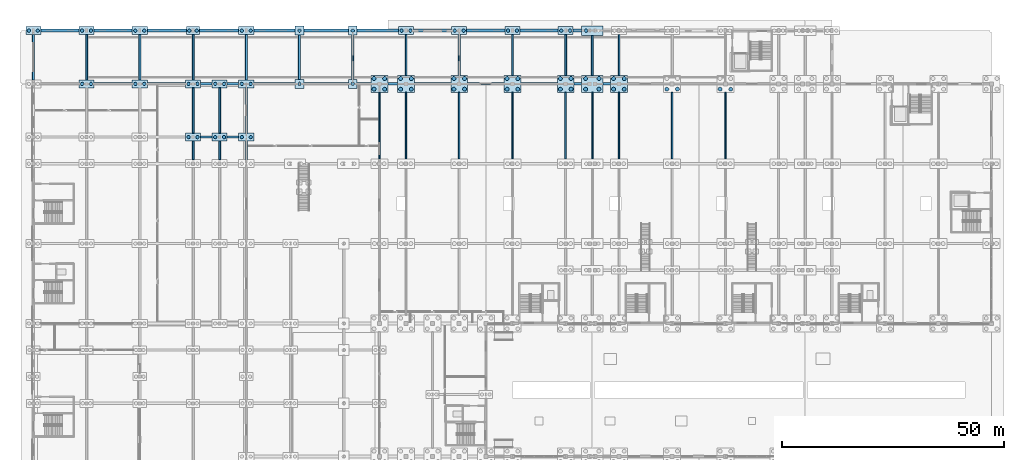
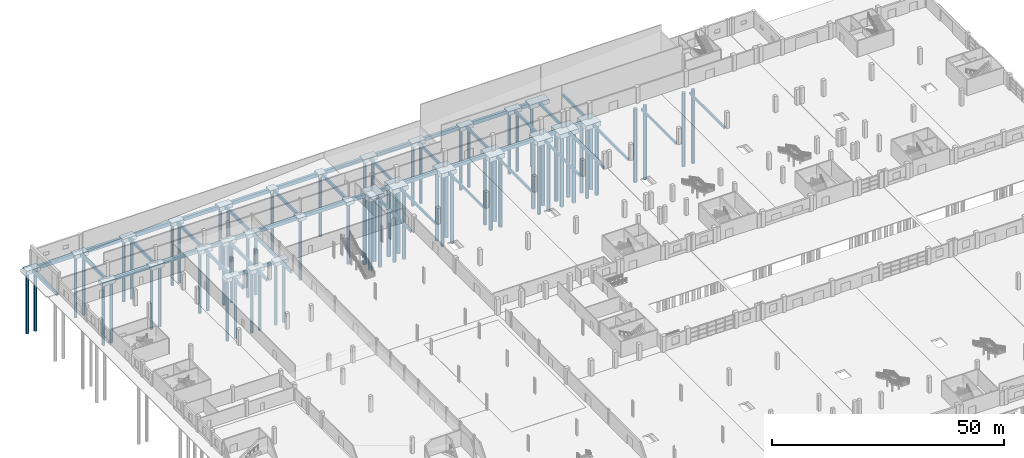
# One storey, part 8 of 77: 83 footings, 71 piles.
"""IFC4 building model written with IfcOpenShell, lengths in metres."""

from ifc_helpers import new_model, si_unit, direction, frame, origin, origin_2d, place, context, subcontext, project, spatial, rectangle, circle, extrude, material, material_profile, profile_set, type_object, element, save


model = new_model("IFC4")

# Units and contexts
model_context = context("Model", 3, precision=1e-05, world=origin(), true_north=direction((0.0, 1.0)))
body_context = subcontext(model_context, "Body", "Model", "MODEL_VIEW")
ifc_project = project(units=[si_unit("LENGTHUNIT", "METRE"), si_unit("AREAUNIT", "SQUARE_METRE"), si_unit("VOLUMEUNIT", "CUBIC_METRE"), si_unit("PLANEANGLEUNIT", "RADIAN"), si_unit("MASSUNIT", "GRAM", prefix="KILO")], contexts=[model_context])

# Site, building, storey
site_placement = place(None, origin())
site = spatial("IfcSite", under=ifc_project, at=site_placement, CompositionType="ELEMENT")
building_placement = place(site_placement, origin())
building = spatial("IfcBuilding", under=site, at=building_placement, Name="Zilviju Railside Exhibition Hall", CompositionType="ELEMENT")
storey_placement = place(building_placement, origin())
storey = spatial("IfcBuildingStorey", under=building, at=storey_placement, Name="L01", CompositionType="ELEMENT", Elevation=0.0)

# Footings
ifc_material_1 = material(Name="Concrete C35/45", Category="concrete")
footing_type_1 = type_object("IfcFootingType", Name="CAP-PC-01", PredefinedType="PILE_CAP", material=ifc_material_1)
for number, where, z_axis, x_axis, name in (
    (1, (78.0, 138.0, -1.60009765625), (0.0, 0.0, 1.0), (1.0, 0.0, 0.0), "Pile Cap FND-CAP-201"),
    (2, (84.0, 138.0, -1.60009765625), (0.0, 0.0, 1.0), (1.0, 0.0, 0.0), "Pile Cap FND-CAP-202"),
    (3, (96.0, 138.0, -1.60009765625), (0.0, 0.0, 1.0), (1.0, 0.0, 0.0), "Pile Cap FND-CAP-203"),
    (4, (108.0, 138.0, -1.60009765625), (0.0, 0.0, 1.0), (1.0, 0.0, 0.0), "Pile Cap FND-CAP-204"),
    (5, (120.0, 138.0, -1.60009765625), (0.0, 0.0, 1.0), (1.0, 0.0, 0.0), "Pile Cap FND-CAP-205"),
    (6, (132.0, 138.0, -1.60009765625), (0.0, 0.0, 1.0), (1.0, 0.0, 0.0), "Pile Cap FND-CAP-207"),
):
    element("IfcFooting", number, at=place(storey_placement, frame(where, z_axis=z_axis, x_axis=x_axis)), inside=storey, type_object=footing_type_1, Name=name, PredefinedType="PILE_CAP", context=body_context, shape_type="SweptSolid", body=[
        extrude(rectangle(XDim=3.800048828125, YDim=3.800048828125, at=origin_2d()), origin(), (0.0, 0.0, 1.0), 1.199951171875),
    ])
footing_type_2 = type_object("IfcFootingType", Name="CAP-PC-03", PredefinedType="PILE_CAP", material=ifc_material_1)
for number, where, z_axis, x_axis, name in (
    (7, (36.0, 126.0, -1.4501953125), (0.0, 0.0, 1.0), (1.0, 0.0, 0.0), "Pile Cap FND-CAP-190"),
    (8, (42.0, 126.0, -1.4501953125), (0.0, 0.0, 1.0), (1.0, 0.0, 0.0), "Pile Cap FND-CAP-191"),
    (9, (48.0, 126.0, -1.4501953125), (0.0, 0.0, 1.0), (1.0, 0.0, 0.0), "Pile Cap FND-CAP-192"),
    (10, (12.0, 138.0, -1.4501953125), (0.0, 0.0, 1.0), (1.0, 0.0, 0.0), "Pile Cap FND-CAP-194"),
    (11, (24.0, 138.0, -1.4501953125), (0.0, 0.0, 1.0), (1.0, 0.0, 0.0), "Pile Cap FND-CAP-195"),
    (12, (36.0, 138.0, -1.4501953125), (0.0, 0.0, 1.0), (1.0, 0.0, 0.0), "Pile Cap FND-CAP-196"),
    (13, (42.0, 138.0, -1.4501953125), (0.0, 0.0, 1.0), (1.0, 0.0, 0.0), "Pile Cap FND-CAP-197"),
    (14, (48.0, 138.0, -1.4501953125), (0.0, 0.0, 1.0), (1.0, 0.0, 0.0), "Pile Cap FND-CAP-198"),
    (15, (0.0, 150.0, -1.4501953125), (0.0, 0.0, 1.0), (1.0, 0.0, 0.0), "Pile Cap FND-CAP-216"),
    (16, (12.0, 150.0, -1.4501953125), (0.0, 0.0, 1.0), (1.0, 0.0, 0.0), "Pile Cap FND-CAP-217"),
    (17, (24.0, 150.0, -1.4501953125), (0.0, 0.0, 1.0), (1.0, 0.0, 0.0), "Pile Cap FND-CAP-218"),
    (18, (48.0, 150.0, -1.4501953125), (0.0, 0.0, 1.0), (1.0, 0.0, 0.0), "Pile Cap FND-CAP-220"),
    (19, (84.0, 150.0, -1.4501953125), (0.0, 0.0, 1.0), (1.0, 0.0, 0.0), "Pile Cap FND-CAP-223"),
    (20, (96.0, 150.0, -1.4501953125), (0.0, 0.0, 1.0), (1.0, 0.0, 0.0), "Pile Cap FND-CAP-224"),
    (21, (108.0, 150.0, -1.4501953125), (0.0, 0.0, 1.0), (1.0, 0.0, 0.0), "Pile Cap FND-CAP-225"),
    (22, (120.0, 150.0, -1.4501953125), (0.0, 0.0, 1.0), (1.0, 0.0, 0.0), "Pile Cap FND-CAP-226"),
):
    element("IfcFooting", number, at=place(storey_placement, frame(where, z_axis=z_axis, x_axis=x_axis)), inside=storey, type_object=footing_type_2, Name=name, PredefinedType="PILE_CAP", context=body_context, shape_type="SweptSolid", body=[
        extrude(rectangle(XDim=3.39990234375, YDim=1.800048828125, at=origin_2d()), origin(), (0.0, 0.0, 1.0), 1.050048828125),
    ])
footing_type_3 = type_object("IfcFootingType", Name="CAP-PC-04", PredefinedType="PILE_CAP", material=ifc_material_1)
footing_1_placement = place(storey_placement, frame((36.0, 150.0, -1.39990234375), z_axis=(0.0, 0.0, 1.0), x_axis=(1.0, 0.0, 0.0)))
element("IfcFooting", 23, at=footing_1_placement, inside=storey, type_object=footing_type_3, Name="Pile Cap FND-CAP-219", PredefinedType="PILE_CAP", context=body_context, shape_type="SweptSolid", body=[
    extrude(rectangle(XDim=3.0, YDim=1.800048828125, at=origin_2d()), origin(), (0.0, 0.0, 1.0), 1.0),
])
footing_type_4 = type_object("IfcFootingType", Name="CAP-PC-05", PredefinedType="PILE_CAP", material=ifc_material_1)
for number, where, z_axis, x_axis, name in (
    (24, (60.0, 138.0, -1.300048828125), (0.0, 0.0, 1.0), (1.0, 0.0, 0.0), "Pile Cap FND-CAP-199"),
    (25, (72.0, 138.0, -1.300048828125), (0.0, 0.0, 1.0), (1.0, 0.0, 0.0), "Pile Cap FND-CAP-200"),
    (26, (60.0, 150.0, -1.300048828125), (0.0, 0.0, 1.0), (1.0, 0.0, 0.0), "Pile Cap FND-CAP-221"),
    (27, (72.0, 150.0, -1.300048828125), (0.0, 0.0, 1.0), (1.0, 0.0, 0.0), "Pile Cap FND-CAP-222"),
):
    element("IfcFooting", number, at=place(storey_placement, frame(where, z_axis=z_axis, x_axis=x_axis)), inside=storey, type_object=footing_type_4, Name=name, PredefinedType="PILE_CAP", context=body_context, shape_type="SweptSolid", body=[
        extrude(rectangle(XDim=2.0, YDim=2.0, at=origin_2d()), origin(), (0.0, 0.0, 1.0), 0.89990234375),
    ])
footing_type_5 = type_object("IfcFootingType", Name="CAP-PC-06", PredefinedType="PILE_CAP", material=ifc_material_1)
footing_2_placement = place(storey_placement, frame((126.0, 138.0, -1.60009765625), z_axis=(0.0, 0.0, 1.0), x_axis=(1.0, 0.0, 0.0)))
element("IfcFooting", 28, at=footing_2_placement, inside=storey, type_object=footing_type_5, Name="Combined Pile Cap FND-CAP-206", PredefinedType="PILE_CAP", context=body_context, shape_type="SweptSolid", body=[
    extrude(rectangle(XDim=4.800048828125, YDim=3.800048828125, at=origin_2d()), origin(), (0.0, 0.0, 1.0), 1.199951171875),
])
footing_type_6 = type_object("IfcFootingType", Name="CAP-PC-07", PredefinedType="PILE_CAP", material=ifc_material_1)
footing_3_placement = place(storey_placement, frame((126.0, 150.0, -1.550048828125), z_axis=(0.0, 0.0, 1.0), x_axis=(1.0, 0.0, 0.0)))
element("IfcFooting", 29, at=footing_3_placement, inside=storey, type_object=footing_type_6, Name="Combined Pile Cap FND-CAP-227", PredefinedType="PILE_CAP", context=body_context, shape_type="SweptSolid", body=[
    extrude(rectangle(XDim=4.800048828125, YDim=2.199951171875, at=origin_2d()), origin(), (0.0, 0.0, 1.0), 1.14990234375),
])
ifc_material_profile_1 = material_profile(ifc_material_1, rectangle(XDim=0.60009765625, YDim=0.89990234375, at=origin_2d()), Name="TIE BEAM 600x900")
ifc_profile_set_1 = profile_set([ifc_material_profile_1], Name="Concrete C35/45")
footing_type_7 = type_object("IfcFootingType", Name="GB-GB-01", PredefinedType="FOOTING_BEAM", material=ifc_profile_set_1)
for number, where, z_axis, x_axis, name in (
    (30, (13.699951171875, 138.0, -0.85009765625), (1.0, 0.0, 0.0), (0.0, 1.0, 0.0), "Ground Tie Beam GB-0171"),
    (31, (25.699951171875, 138.0, -0.85009765625), (1.0, 0.0, 0.0), (0.0, 1.0, 0.0), "Ground Tie Beam GB-0172"),
):
    element("IfcFooting", number, at=place(storey_placement, frame(where, z_axis=z_axis, x_axis=x_axis)), inside=storey, type_object=footing_type_7, Name=name, PredefinedType="FOOTING_BEAM", context=body_context, shape_type="SweptSolid", body=[
        extrude(rectangle(XDim=0.60009765625, YDim=0.89990234375, at=origin_2d()), origin(), (0.0, 0.0, 1.0), 8.60009765625),
    ])
for number, where, z_axis, x_axis, name in (
    (32, (37.699951171875, 138.0, -0.85009765625), (1.0, 0.0, 0.0), (0.0, 1.0, 0.0), "Ground Tie Beam GB-0173"),
    (33, (43.699951171875, 138.0, -0.85009765625), (1.0, 0.0, 0.0), (0.0, 1.0, 0.0), "Ground Tie Beam GB-0174"),
):
    element("IfcFooting", number, at=place(storey_placement, frame(where, z_axis=z_axis, x_axis=x_axis)), inside=storey, type_object=footing_type_7, Name=name, PredefinedType="FOOTING_BEAM", context=body_context, shape_type="SweptSolid", body=[
        extrude(rectangle(XDim=0.60009765625, YDim=0.89990234375, at=origin_2d()), origin(), (0.0, 0.0, 1.0), 2.60009765625),
    ])
footing_4_placement = place(storey_placement, frame((49.699951171875, 138.0, -0.85009765625), z_axis=(1.0, 0.0, 0.0), x_axis=(0.0, 1.0, 0.0)))
element("IfcFooting", 34, at=footing_4_placement, inside=storey, type_object=footing_type_7, Name="Ground Tie Beam GB-0175", PredefinedType="FOOTING_BEAM", context=body_context, shape_type="SweptSolid", body=[
    extrude(rectangle(XDim=0.60009765625, YDim=0.89990234375, at=origin_2d()), origin(), (0.0, 0.0, 1.0), 9.300048828125),
])
footing_5_placement = place(storey_placement, frame((61.0, 138.0, -0.85009765625), z_axis=(1.0, 0.0, 0.0), x_axis=(0.0, 1.0, 0.0)))
element("IfcFooting", 35, at=footing_5_placement, inside=storey, type_object=footing_type_7, Name="Ground Tie Beam GB-0176", PredefinedType="FOOTING_BEAM", context=body_context, shape_type="SweptSolid", body=[
    extrude(rectangle(XDim=0.60009765625, YDim=0.89990234375, at=origin_2d()), origin(), (0.0, 0.0, 1.0), 10.0),
])
footing_6_placement = place(storey_placement, frame((73.0, 138.0, -0.85009765625), z_axis=(1.0, 0.0, 0.0), x_axis=(0.0, 1.0, 0.0)))
element("IfcFooting", 36, at=footing_6_placement, inside=storey, type_object=footing_type_7, Name="Ground Tie Beam GB-0177", PredefinedType="FOOTING_BEAM", context=body_context, shape_type="SweptSolid", body=[
    extrude(rectangle(XDim=0.60009765625, YDim=0.89990234375, at=origin_2d()), origin(), (0.0, 0.0, 1.0), 3.10009765625),
])
footing_7_placement = place(storey_placement, frame((79.89990234375, 138.0, -0.85009765625), z_axis=(1.0, 0.0, 0.0), x_axis=(0.0, 1.0, 0.0)))
element("IfcFooting", 37, at=footing_7_placement, inside=storey, type_object=footing_type_7, Name="Ground Tie Beam GB-0178", PredefinedType="FOOTING_BEAM", context=body_context, shape_type="SweptSolid", body=[
    extrude(rectangle(XDim=0.60009765625, YDim=0.89990234375, at=origin_2d()), origin(), (0.0, 0.0, 1.0), 2.2001953125),
])
for number, where, z_axis, x_axis, name in (
    (38, (85.89990234375, 138.0, -0.85009765625), (1.0, 0.0, 0.0), (0.0, 1.0, 0.0), "Ground Tie Beam GB-0179"),
    (39, (97.89990234375, 138.0, -0.85009765625), (1.0, 0.0, 0.0), (0.0, 1.0, 0.0), "Ground Tie Beam GB-0180"),
    (40, (109.89990234375, 138.0, -0.85009765625), (1.0, 0.0, 0.0), (0.0, 1.0, 0.0), "Ground Tie Beam GB-0181"),
):
    element("IfcFooting", number, at=place(storey_placement, frame(where, z_axis=z_axis, x_axis=x_axis)), inside=storey, type_object=footing_type_7, Name=name, PredefinedType="FOOTING_BEAM", context=body_context, shape_type="SweptSolid", body=[
        extrude(rectangle(XDim=0.60009765625, YDim=0.89990234375, at=origin_2d()), origin(), (0.0, 0.0, 1.0), 8.2001953125),
    ])
for number, where, z_axis, x_axis, name in (
    (41, (121.89990234375, 138.0, -0.85009765625), (1.0, 0.0, 0.0), (0.0, 1.0, 0.0), "Ground Tie Beam GB-0182"),
    (42, (128.39990234375, 138.0, -0.85009765625), (1.0, 0.0, 0.0), (0.0, 1.0, 0.0), "Ground Tie Beam GB-0183"),
):
    element("IfcFooting", number, at=place(storey_placement, frame(where, z_axis=z_axis, x_axis=x_axis)), inside=storey, type_object=footing_type_7, Name=name, PredefinedType="FOOTING_BEAM", context=body_context, shape_type="SweptSolid", body=[
        extrude(rectangle(XDim=0.60009765625, YDim=0.89990234375, at=origin_2d()), origin(), (0.0, 0.0, 1.0), 1.7001953125),
    ])
ifc_material_profile_2 = material_profile(ifc_material_1, rectangle(XDim=0.5, YDim=0.85009765625, at=origin_2d()), Name="TIE BEAM 500x850")
ifc_profile_set_2 = profile_set([ifc_material_profile_2], Name="Concrete C35/45")
footing_type_8 = type_object("IfcFootingType", Name="GB-GB-02", PredefinedType="FOOTING_BEAM", material=ifc_profile_set_2)
for number, where, z_axis, x_axis, name in (
    (43, (37.699951171875, 126.0, -0.824951171875), (1.0, 0.0, 0.0), (0.0, 1.0, 0.0), "Ground Tie Beam GB-0168"),
    (44, (43.699951171875, 126.0, -0.824951171875), (1.0, 0.0, 0.0), (0.0, 1.0, 0.0), "Ground Tie Beam GB-0169"),
):
    element("IfcFooting", number, at=place(storey_placement, frame(where, z_axis=z_axis, x_axis=x_axis)), inside=storey, type_object=footing_type_8, Name=name, PredefinedType="FOOTING_BEAM", context=body_context, shape_type="SweptSolid", body=[
        extrude(rectangle(XDim=0.5, YDim=0.85009765625, at=origin_2d()), origin(), (0.0, 0.0, 1.0), 2.60009765625),
    ])
ifc_material_profile_3 = material_profile(ifc_material_1, rectangle(XDim=0.449951171875, YDim=0.800048828125, at=origin_2d()), Name="TIE BEAM 450x800")
ifc_profile_set_3 = profile_set([ifc_material_profile_3], Name="Concrete C35/45")
footing_type_9 = type_object("IfcFootingType", Name="GB-GB-03", PredefinedType="FOOTING_BEAM", material=ifc_profile_set_3)
for number, where, z_axis, x_axis, name in (
    (45, (0.0, 138.89990234375, -0.800048828125), (0.0, 1.0, 0.0), (-1.0, 0.0, 0.0), "Ground Tie Beam GB-0219"),
    (46, (12.0, 138.89990234375, -0.800048828125), (0.0, 1.0, 0.0), (-1.0, 0.0, 0.0), "Ground Tie Beam GB-0228"),
    (47, (24.0, 138.89990234375, -0.800048828125), (0.0, 1.0, 0.0), (-1.0, 0.0, 0.0), "Ground Tie Beam GB-0239"),
):
    element("IfcFooting", number, at=place(storey_placement, frame(where, z_axis=z_axis, x_axis=x_axis)), inside=storey, type_object=footing_type_9, Name=name, PredefinedType="FOOTING_BEAM", context=body_context, shape_type="SweptSolid", body=[
        extrude(rectangle(XDim=0.449951171875, YDim=0.800048828125, at=origin_2d()), origin(), (0.0, 0.0, 1.0), 10.2001953125),
    ])
footing_8_placement = place(storey_placement, frame((36.0, 120.89990234375, -0.800048828125), z_axis=(0.0, 1.0, 0.0), x_axis=(-1.0, 0.0, 0.0)))
element("IfcFooting", 48, at=footing_8_placement, inside=storey, type_object=footing_type_9, Name="Ground Tie Beam GB-0246", PredefinedType="FOOTING_BEAM", context=body_context, shape_type="SweptSolid", body=[
    extrude(rectangle(XDim=0.449951171875, YDim=0.800048828125, at=origin_2d()), origin(), (0.0, 0.0, 1.0), 4.2001953125),
])
for number, where, z_axis, x_axis, name in (
    (49, (36.0, 126.89990234375, -0.800048828125), (0.0, 1.0, 0.0), (-1.0, 0.0, 0.0), "Ground Tie Beam GB-0247"),
    (50, (36.0, 138.89990234375, -0.800048828125), (0.0, 1.0, 0.0), (-1.0, 0.0, 0.0), "Ground Tie Beam GB-0248"),
):
    element("IfcFooting", number, at=place(storey_placement, frame(where, z_axis=z_axis, x_axis=x_axis)), inside=storey, type_object=footing_type_9, Name=name, PredefinedType="FOOTING_BEAM", context=body_context, shape_type="SweptSolid", body=[
        extrude(rectangle(XDim=0.449951171875, YDim=0.800048828125, at=origin_2d()), origin(), (0.0, 0.0, 1.0), 10.2001953125),
    ])
footing_9_placement = place(storey_placement, frame((42.0, 120.89990234375, -0.800048828125), z_axis=(0.0, 1.0, 0.0), x_axis=(-1.0, 0.0, 0.0)))
element("IfcFooting", 51, at=footing_9_placement, inside=storey, type_object=footing_type_9, Name="Ground Tie Beam GB-0251", PredefinedType="FOOTING_BEAM", context=body_context, shape_type="SweptSolid", body=[
    extrude(rectangle(XDim=0.449951171875, YDim=0.800048828125, at=origin_2d()), origin(), (0.0, 0.0, 1.0), 4.2001953125),
])
footing_10_placement = place(storey_placement, frame((42.0, 126.89990234375, -0.800048828125), z_axis=(0.0, 1.0, 0.0), x_axis=(-1.0, 0.0, 0.0)))
element("IfcFooting", 52, at=footing_10_placement, inside=storey, type_object=footing_type_9, Name="Ground Tie Beam GB-0252", PredefinedType="FOOTING_BEAM", context=body_context, shape_type="SweptSolid", body=[
    extrude(rectangle(XDim=0.449951171875, YDim=0.800048828125, at=origin_2d()), origin(), (0.0, 0.0, 1.0), 10.2001953125),
])
footing_11_placement = place(storey_placement, frame((48.0, 120.89990234375, -0.800048828125), z_axis=(0.0, 1.0, 0.0), x_axis=(-1.0, 0.0, 0.0)))
element("IfcFooting", 53, at=footing_11_placement, inside=storey, type_object=footing_type_9, Name="Ground Tie Beam GB-0265", PredefinedType="FOOTING_BEAM", context=body_context, shape_type="SweptSolid", body=[
    extrude(rectangle(XDim=0.449951171875, YDim=0.800048828125, at=origin_2d()), origin(), (0.0, 0.0, 1.0), 4.2001953125),
])
for number, where, z_axis, x_axis, name in (
    (54, (48.0, 126.89990234375, -0.800048828125), (0.0, 1.0, 0.0), (-1.0, 0.0, 0.0), "Ground Tie Beam GB-0266"),
    (55, (48.0, 138.89990234375, -0.800048828125), (0.0, 1.0, 0.0), (-1.0, 0.0, 0.0), "Ground Tie Beam GB-0267"),
):
    element("IfcFooting", number, at=place(storey_placement, frame(where, z_axis=z_axis, x_axis=x_axis)), inside=storey, type_object=footing_type_9, Name=name, PredefinedType="FOOTING_BEAM", context=body_context, shape_type="SweptSolid", body=[
        extrude(rectangle(XDim=0.449951171875, YDim=0.800048828125, at=origin_2d()), origin(), (0.0, 0.0, 1.0), 10.2001953125),
    ])
for number, where, z_axis, x_axis, name in (
    (56, (60.0, 139.0, -0.800048828125), (0.0, 1.0, 0.0), (-1.0, 0.0, 0.0), "Ground Tie Beam GB-0274"),
    (57, (72.0, 139.0, -0.800048828125), (0.0, 1.0, 0.0), (-1.0, 0.0, 0.0), "Ground Tie Beam GB-0281"),
):
    element("IfcFooting", number, at=place(storey_placement, frame(where, z_axis=z_axis, x_axis=x_axis)), inside=storey, type_object=footing_type_9, Name=name, PredefinedType="FOOTING_BEAM", context=body_context, shape_type="SweptSolid", body=[
        extrude(rectangle(XDim=0.449951171875, YDim=0.800048828125, at=origin_2d()), origin(), (0.0, 0.0, 1.0), 10.0),
    ])
ifc_material_profile_4 = material_profile(ifc_material_1, rectangle(XDim=0.39990234375, YDim=0.75, at=origin_2d()), Name="TIE BEAM 400x750")
ifc_profile_set_4 = profile_set([ifc_material_profile_4], Name="Concrete C35/45")
footing_type_10 = type_object("IfcFootingType", Name="GB-GB-04", PredefinedType="FOOTING_BEAM", material=ifc_profile_set_4)
for number, where, z_axis, x_axis, name in (
    (58, (84.0, 139.89990234375, -0.77490234375), (0.0, 1.0, 0.0), (-1.0, 0.0, 0.0), "Ground Tie Beam GB-0298"),
    (59, (96.0, 139.89990234375, -0.77490234375), (0.0, 1.0, 0.0), (-1.0, 0.0, 0.0), "Ground Tie Beam GB-0307"),
    (60, (108.0, 139.89990234375, -0.77490234375), (0.0, 1.0, 0.0), (-1.0, 0.0, 0.0), "Ground Tie Beam GB-0316"),
    (61, (120.0, 139.89990234375, -0.77490234375), (0.0, 1.0, 0.0), (-1.0, 0.0, 0.0), "Ground Tie Beam GB-0325"),
):
    element("IfcFooting", number, at=place(storey_placement, frame(where, z_axis=z_axis, x_axis=x_axis)), inside=storey, type_object=footing_type_10, Name=name, PredefinedType="FOOTING_BEAM", context=body_context, shape_type="SweptSolid", body=[
        extrude(rectangle(XDim=0.39990234375, YDim=0.75, at=origin_2d()), origin(), (0.0, 0.0, 1.0), 9.2001953125),
    ])
footing_12_placement = place(storey_placement, frame((126.0, 139.89990234375, -0.77490234375), z_axis=(0.0, 1.0, 0.0), x_axis=(-1.0, 0.0, 0.0)))
element("IfcFooting", 62, at=footing_12_placement, inside=storey, type_object=footing_type_10, Name="Ground Tie Beam GB-0331", PredefinedType="FOOTING_BEAM", context=body_context, shape_type="SweptSolid", body=[
    extrude(rectangle(XDim=0.39990234375, YDim=0.75, at=origin_2d()), origin(), (0.0, 0.0, 1.0), 9.0),
])
footing_13_placement = place(storey_placement, frame((132.0, 139.89990234375, -0.77490234375), z_axis=(0.0, 1.0, 0.0), x_axis=(-1.0, 0.0, 0.0)))
element("IfcFooting", 63, at=footing_13_placement, inside=storey, type_object=footing_type_10, Name="Ground Tie Beam GB-0337", PredefinedType="FOOTING_BEAM", context=body_context, shape_type="SweptSolid", body=[
    extrude(rectangle(XDim=0.39990234375, YDim=0.75, at=origin_2d()), origin(), (0.0, 0.0, 1.0), 9.2001953125),
])
ifc_material_2 = material(Name="Concrete C40/50", Category="concrete")
ifc_material_profile_5 = material_profile(ifc_material_2, rectangle(XDim=0.64990234375, YDim=0.949951171875, at=origin_2d()), Name="TIE BEAM 650x950")
ifc_profile_set_5 = profile_set([ifc_material_profile_5], Name="Concrete C40/50")
footing_type_11 = type_object("IfcFootingType", Name="GB-GB-05", PredefinedType="FOOTING_BEAM", material=ifc_profile_set_5)
for number, where, z_axis, x_axis, name in (
    (64, (1.699951171875, 150.0, -0.875), (1.0, 0.0, 0.0), (0.0, 1.0, 0.0), "Ground Tie Beam GB-0192"),
    (65, (13.699951171875, 150.0, -0.875), (1.0, 0.0, 0.0), (0.0, 1.0, 0.0), "Ground Tie Beam GB-0193"),
):
    element("IfcFooting", number, at=place(storey_placement, frame(where, z_axis=z_axis, x_axis=x_axis)), inside=storey, type_object=footing_type_11, Name=name, PredefinedType="FOOTING_BEAM", context=body_context, shape_type="SweptSolid", body=[
        extrude(rectangle(XDim=0.64990234375, YDim=0.949951171875, at=origin_2d()), origin(), (0.0, 0.0, 1.0), 8.60009765625),
    ])
for number, where, z_axis, x_axis, name in (
    (66, (25.699951171875, 150.0, -0.875), (1.0, 0.0, 0.0), (0.0, 1.0, 0.0), "Ground Tie Beam GB-0194"),
    (67, (37.5, 150.0, -0.875), (1.0, 0.0, 0.0), (0.0, 1.0, 0.0), "Ground Tie Beam GB-0195"),
):
    element("IfcFooting", number, at=place(storey_placement, frame(where, z_axis=z_axis, x_axis=x_axis)), inside=storey, type_object=footing_type_11, Name=name, PredefinedType="FOOTING_BEAM", context=body_context, shape_type="SweptSolid", body=[
        extrude(rectangle(XDim=0.64990234375, YDim=0.949951171875, at=origin_2d()), origin(), (0.0, 0.0, 1.0), 8.800048828125),
    ])
footing_14_placement = place(storey_placement, frame((49.699951171875, 150.0, -0.875), z_axis=(1.0, 0.0, 0.0), x_axis=(0.0, 1.0, 0.0)))
element("IfcFooting", 68, at=footing_14_placement, inside=storey, type_object=footing_type_11, Name="Ground Tie Beam GB-0196", PredefinedType="FOOTING_BEAM", context=body_context, shape_type="SweptSolid", body=[
    extrude(rectangle(XDim=0.64990234375, YDim=0.949951171875, at=origin_2d()), origin(), (0.0, 0.0, 1.0), 9.300048828125),
])
footing_15_placement = place(storey_placement, frame((61.0, 150.0, -0.875), z_axis=(1.0, 0.0, 0.0), x_axis=(0.0, 1.0, 0.0)))
element("IfcFooting", 69, at=footing_15_placement, inside=storey, type_object=footing_type_11, Name="Ground Tie Beam GB-0197", PredefinedType="FOOTING_BEAM", context=body_context, shape_type="SweptSolid", body=[
    extrude(rectangle(XDim=0.64990234375, YDim=0.949951171875, at=origin_2d()), origin(), (0.0, 0.0, 1.0), 10.0),
])
footing_16_placement = place(storey_placement, frame((73.0, 150.0, -0.875), z_axis=(1.0, 0.0, 0.0), x_axis=(0.0, 1.0, 0.0)))
element("IfcFooting", 70, at=footing_16_placement, inside=storey, type_object=footing_type_11, Name="Ground Tie Beam GB-0198", PredefinedType="FOOTING_BEAM", context=body_context, shape_type="SweptSolid", body=[
    extrude(rectangle(XDim=0.64990234375, YDim=0.949951171875, at=origin_2d()), origin(), (0.0, 0.0, 1.0), 9.300048828125),
])
for number, where, z_axis, x_axis, name in (
    (71, (85.699951171875, 150.0, -0.875), (1.0, 0.0, 0.0), (0.0, 1.0, 0.0), "Ground Tie Beam GB-0199"),
    (72, (97.699951171875, 150.0, -0.875), (1.0, 0.0, 0.0), (0.0, 1.0, 0.0), "Ground Tie Beam GB-0200"),
    (73, (109.699951171875, 150.0, -0.875), (1.0, 0.0, 0.0), (0.0, 1.0, 0.0), "Ground Tie Beam GB-0201"),
):
    element("IfcFooting", number, at=place(storey_placement, frame(where, z_axis=z_axis, x_axis=x_axis)), inside=storey, type_object=footing_type_11, Name=name, PredefinedType="FOOTING_BEAM", context=body_context, shape_type="SweptSolid", body=[
        extrude(rectangle(XDim=0.64990234375, YDim=0.949951171875, at=origin_2d()), origin(), (0.0, 0.0, 1.0), 8.60009765625),
    ])
footing_17_placement = place(storey_placement, frame((121.699951171875, 150.0, -0.875), z_axis=(1.0, 0.0, 0.0), x_axis=(0.0, 1.0, 0.0)))
element("IfcFooting", 74, at=footing_17_placement, inside=storey, type_object=footing_type_11, Name="Ground Tie Beam GB-0202", PredefinedType="FOOTING_BEAM", context=body_context, shape_type="SweptSolid", body=[
    extrude(rectangle(XDim=0.64990234375, YDim=0.949951171875, at=origin_2d()), origin(), (0.0, 0.0, 1.0), 1.900146484375),
])
ifc_material_profile_6 = material_profile(ifc_material_1, rectangle(XDim=0.35009765625, YDim=0.64990234375, at=origin_2d()), Name="TIE BEAM 350x650")
ifc_profile_set_6 = profile_set([ifc_material_profile_6], Name="Concrete C35/45")
footing_type_12 = type_object("IfcFootingType", Name="GB-GB-06", PredefinedType="FOOTING_BEAM", material=ifc_profile_set_6)
for number, where, z_axis, x_axis, name in (
    (75, (78.0, 121.10009765625, -0.72509765625), (0.0, 1.0, 0.0), (-1.0, 0.0, 0.0), "Ground Tie Beam GB-0291"),
    (76, (84.0, 121.10009765625, -0.72509765625), (0.0, 1.0, 0.0), (-1.0, 0.0, 0.0), "Ground Tie Beam GB-0297"),
    (77, (96.0, 121.10009765625, -0.72509765625), (0.0, 1.0, 0.0), (-1.0, 0.0, 0.0), "Ground Tie Beam GB-0306"),
    (78, (108.0, 121.10009765625, -0.72509765625), (0.0, 1.0, 0.0), (-1.0, 0.0, 0.0), "Ground Tie Beam GB-0315"),
    (79, (120.0, 121.10009765625, -0.72509765625), (0.0, 1.0, 0.0), (-1.0, 0.0, 0.0), "Ground Tie Beam GB-0324"),
    (80, (126.0, 121.10009765625, -0.72509765625), (0.0, 1.0, 0.0), (-1.0, 0.0, 0.0), "Ground Tie Beam GB-0330"),
    (81, (132.0, 121.10009765625, -0.72509765625), (0.0, 1.0, 0.0), (-1.0, 0.0, 0.0), "Ground Tie Beam GB-0336"),
    (82, (144.0, 121.10009765625, -0.72509765625), (0.0, 1.0, 0.0), (-1.0, 0.0, 0.0), "Ground Tie Beam GB-0342"),
    (83, (156.0, 121.10009765625, -0.72509765625), (0.0, 1.0, 0.0), (-1.0, 0.0, 0.0), "Ground Tie Beam GB-0348"),
):
    element("IfcFooting", number, at=place(storey_placement, frame(where, z_axis=z_axis, x_axis=x_axis)), inside=storey, type_object=footing_type_12, Name=name, PredefinedType="FOOTING_BEAM", context=body_context, shape_type="SweptSolid", body=[
        extrude(rectangle(XDim=0.35009765625, YDim=0.64990234375, at=origin_2d()), origin(), (0.0, 0.0, 1.0), 15.0),
    ])

# Piles
ifc_material_profile_7 = material_profile(ifc_material_1, circle(Radius=0.375, at=origin_2d()), Name="CFA PILE D750")
ifc_profile_set_7 = profile_set([ifc_material_profile_7], Name="Concrete C35/45")
pile_type_1 = type_object("IfcPileType", Name="PILE-PL-750", PredefinedType="BORED", material=ifc_profile_set_7)
for number, where, z_axis, x_axis, name in (
    (84, (35.0, 126.0, -0.5), (0.0, 0.0, -1.0), (1.0, 0.0, 0.0), "Bored CFA Pile P-0465"),
    (85, (37.0, 126.0, -0.5), (0.0, 0.0, -1.0), (1.0, 0.0, 0.0), "Bored CFA Pile P-0466"),
    (86, (41.0, 126.0, -0.5), (0.0, 0.0, -1.0), (1.0, 0.0, 0.0), "Bored CFA Pile P-0467"),
    (87, (43.0, 126.0, -0.5), (0.0, 0.0, -1.0), (1.0, 0.0, 0.0), "Bored CFA Pile P-0468"),
    (88, (47.0, 126.0, -0.5), (0.0, 0.0, -1.0), (1.0, 0.0, 0.0), "Bored CFA Pile P-0469"),
    (89, (49.0, 126.0, -0.5), (0.0, 0.0, -1.0), (1.0, 0.0, 0.0), "Bored CFA Pile P-0470"),
    (90, (11.0, 138.0, -0.5), (0.0, 0.0, -1.0), (1.0, 0.0, 0.0), "Bored CFA Pile P-0473"),
    (91, (13.0, 138.0, -0.5), (0.0, 0.0, -1.0), (1.0, 0.0, 0.0), "Bored CFA Pile P-0474"),
    (92, (23.0, 138.0, -0.5), (0.0, 0.0, -1.0), (1.0, 0.0, 0.0), "Bored CFA Pile P-0475"),
    (93, (25.0, 138.0, -0.5), (0.0, 0.0, -1.0), (1.0, 0.0, 0.0), "Bored CFA Pile P-0476"),
    (94, (35.0, 138.0, -0.5), (0.0, 0.0, -1.0), (1.0, 0.0, 0.0), "Bored CFA Pile P-0477"),
    (95, (37.0, 138.0, -0.5), (0.0, 0.0, -1.0), (1.0, 0.0, 0.0), "Bored CFA Pile P-0478"),
    (96, (41.0, 138.0, -0.5), (0.0, 0.0, -1.0), (1.0, 0.0, 0.0), "Bored CFA Pile P-0479"),
    (97, (43.0, 138.0, -0.5), (0.0, 0.0, -1.0), (1.0, 0.0, 0.0), "Bored CFA Pile P-0480"),
    (98, (47.0, 138.0, -0.5), (0.0, 0.0, -1.0), (1.0, 0.0, 0.0), "Bored CFA Pile P-0481"),
    (99, (49.0, 138.0, -0.5), (0.0, 0.0, -1.0), (1.0, 0.0, 0.0), "Bored CFA Pile P-0482"),
    (100, (60.0, 138.0, -0.5), (0.0, 0.0, -1.0), (1.0, 0.0, 0.0), "Bored CFA Pile P-0483"),
    (101, (72.0, 138.0, -0.5), (0.0, 0.0, -1.0), (1.0, 0.0, 0.0), "Bored CFA Pile P-0484"),
    (102, (-1.0, 150.0, -0.5), (0.0, 0.0, -1.0), (1.0, 0.0, 0.0), "Bored CFA Pile P-0545"),
    (103, (1.0, 150.0, -0.5), (0.0, 0.0, -1.0), (1.0, 0.0, 0.0), "Bored CFA Pile P-0546"),
    (104, (11.0, 150.0, -0.5), (0.0, 0.0, -1.0), (1.0, 0.0, 0.0), "Bored CFA Pile P-0547"),
    (105, (13.0, 150.0, -0.5), (0.0, 0.0, -1.0), (1.0, 0.0, 0.0), "Bored CFA Pile P-0548"),
    (106, (23.0, 150.0, -0.5), (0.0, 0.0, -1.0), (1.0, 0.0, 0.0), "Bored CFA Pile P-0549"),
    (107, (25.0, 150.0, -0.5), (0.0, 0.0, -1.0), (1.0, 0.0, 0.0), "Bored CFA Pile P-0550"),
    (108, (35.14990234375, 150.0, -0.5), (0.0, 0.0, -1.0), (1.0, 0.0, 0.0), "Bored CFA Pile P-0551"),
    (109, (36.85009765625, 150.0, -0.5), (0.0, 0.0, -1.0), (1.0, 0.0, 0.0), "Bored CFA Pile P-0552"),
    (110, (47.0, 150.0, -0.5), (0.0, 0.0, -1.0), (1.0, 0.0, 0.0), "Bored CFA Pile P-0553"),
    (111, (49.0, 150.0, -0.5), (0.0, 0.0, -1.0), (1.0, 0.0, 0.0), "Bored CFA Pile P-0554"),
    (112, (60.0, 150.0, -0.5), (0.0, 0.0, -1.0), (1.0, 0.0, 0.0), "Bored CFA Pile P-0555"),
    (113, (72.0, 150.0, -0.5), (0.0, 0.0, -1.0), (1.0, 0.0, 0.0), "Bored CFA Pile P-0556"),
    (114, (83.0, 150.0, -0.5), (0.0, 0.0, -1.0), (1.0, 0.0, 0.0), "Bored CFA Pile P-0557"),
    (115, (85.0, 150.0, -0.5), (0.0, 0.0, -1.0), (1.0, 0.0, 0.0), "Bored CFA Pile P-0558"),
    (116, (95.0, 150.0, -0.5), (0.0, 0.0, -1.0), (1.0, 0.0, 0.0), "Bored CFA Pile P-0559"),
    (117, (97.0, 150.0, -0.5), (0.0, 0.0, -1.0), (1.0, 0.0, 0.0), "Bored CFA Pile P-0560"),
    (118, (107.0, 150.0, -0.5), (0.0, 0.0, -1.0), (1.0, 0.0, 0.0), "Bored CFA Pile P-0561"),
    (119, (109.0, 150.0, -0.5), (0.0, 0.0, -1.0), (1.0, 0.0, 0.0), "Bored CFA Pile P-0562"),
    (120, (119.0, 150.0, -0.5), (0.0, 0.0, -1.0), (1.0, 0.0, 0.0), "Bored CFA Pile P-0563"),
    (121, (121.0, 150.0, -0.5), (0.0, 0.0, -1.0), (1.0, 0.0, 0.0), "Bored CFA Pile P-0564"),
    (122, (124.60009765625, 150.0, -0.5), (0.0, 0.0, -1.0), (1.0, 0.0, 0.0), "Bored CFA Pile P-0565"),
):
    element("IfcPile", number, at=place(storey_placement, frame(where, z_axis=z_axis, x_axis=x_axis)), inside=storey, type_object=pile_type_1, Name=name, PredefinedType="BORED", context=body_context, shape_type="SweptSolid", body=[
        extrude(circle(Radius=0.375, at=origin_2d()), origin(), (0.0, 0.0, 1.0), 16.89990234375),
    ])
ifc_material_profile_8 = material_profile(ifc_material_1, circle(Radius=0.449951171875, at=origin_2d()), Name="CFA PILE D900")
ifc_profile_set_8 = profile_set([ifc_material_profile_8], Name="Concrete C35/45")
pile_type_2 = type_object("IfcPileType", Name="PILE-PL-900", PredefinedType="BORED", material=ifc_profile_set_8)
for number, where, z_axis, x_axis, name in (
    (123, (76.800048828125, 136.800048828125, -0.5), (0.0, 0.0, -1.0), (1.0, 0.0, 0.0), "Bored CFA Pile P-0485"),
    (124, (79.199951171875, 136.800048828125, -0.5), (0.0, 0.0, -1.0), (1.0, 0.0, 0.0), "Bored CFA Pile P-0486"),
    (125, (76.800048828125, 139.199951171875, -0.5), (0.0, 0.0, -1.0), (1.0, 0.0, 0.0), "Bored CFA Pile P-0487"),
    (126, (79.199951171875, 139.199951171875, -0.5), (0.0, 0.0, -1.0), (1.0, 0.0, 0.0), "Bored CFA Pile P-0488"),
    (127, (82.800048828125, 136.800048828125, -0.5), (0.0, 0.0, -1.0), (1.0, 0.0, 0.0), "Bored CFA Pile P-0489"),
    (128, (85.199951171875, 136.800048828125, -0.5), (0.0, 0.0, -1.0), (1.0, 0.0, 0.0), "Bored CFA Pile P-0490"),
    (129, (82.800048828125, 139.199951171875, -0.5), (0.0, 0.0, -1.0), (1.0, 0.0, 0.0), "Bored CFA Pile P-0491"),
    (130, (85.199951171875, 139.199951171875, -0.5), (0.0, 0.0, -1.0), (1.0, 0.0, 0.0), "Bored CFA Pile P-0492"),
    (131, (94.800048828125, 136.800048828125, -0.5), (0.0, 0.0, -1.0), (1.0, 0.0, 0.0), "Bored CFA Pile P-0493"),
    (132, (97.199951171875, 136.800048828125, -0.5), (0.0, 0.0, -1.0), (1.0, 0.0, 0.0), "Bored CFA Pile P-0494"),
    (133, (94.800048828125, 139.199951171875, -0.5), (0.0, 0.0, -1.0), (1.0, 0.0, 0.0), "Bored CFA Pile P-0495"),
    (134, (97.199951171875, 139.199951171875, -0.5), (0.0, 0.0, -1.0), (1.0, 0.0, 0.0), "Bored CFA Pile P-0496"),
    (135, (106.800048828125, 136.800048828125, -0.5), (0.0, 0.0, -1.0), (1.0, 0.0, 0.0), "Bored CFA Pile P-0497"),
    (136, (109.199951171875, 136.800048828125, -0.5), (0.0, 0.0, -1.0), (1.0, 0.0, 0.0), "Bored CFA Pile P-0498"),
    (137, (106.800048828125, 139.199951171875, -0.5), (0.0, 0.0, -1.0), (1.0, 0.0, 0.0), "Bored CFA Pile P-0499"),
    (138, (109.199951171875, 139.199951171875, -0.5), (0.0, 0.0, -1.0), (1.0, 0.0, 0.0), "Bored CFA Pile P-0500"),
    (139, (118.800048828125, 136.800048828125, -0.5), (0.0, 0.0, -1.0), (1.0, 0.0, 0.0), "Bored CFA Pile P-0501"),
    (140, (121.199951171875, 136.800048828125, -0.5), (0.0, 0.0, -1.0), (1.0, 0.0, 0.0), "Bored CFA Pile P-0502"),
    (141, (118.800048828125, 139.199951171875, -0.5), (0.0, 0.0, -1.0), (1.0, 0.0, 0.0), "Bored CFA Pile P-0503"),
    (142, (121.199951171875, 139.199951171875, -0.5), (0.0, 0.0, -1.0), (1.0, 0.0, 0.0), "Bored CFA Pile P-0504"),
    (143, (124.5, 136.800048828125, -0.5), (0.0, 0.0, -1.0), (1.0, 0.0, 0.0), "Bored CFA Pile P-0505"),
    (144, (127.5, 136.800048828125, -0.5), (0.0, 0.0, -1.0), (1.0, 0.0, 0.0), "Bored CFA Pile P-0506"),
    (145, (124.5, 139.199951171875, -0.5), (0.0, 0.0, -1.0), (1.0, 0.0, 0.0), "Bored CFA Pile P-0507"),
    (146, (127.5, 139.199951171875, -0.5), (0.0, 0.0, -1.0), (1.0, 0.0, 0.0), "Bored CFA Pile P-0508"),
    (147, (130.800048828125, 136.800048828125, -0.5), (0.0, 0.0, -1.0), (1.0, 0.0, 0.0), "Bored CFA Pile P-0509"),
    (148, (133.199951171875, 136.800048828125, -0.5), (0.0, 0.0, -1.0), (1.0, 0.0, 0.0), "Bored CFA Pile P-0510"),
    (149, (130.800048828125, 139.199951171875, -0.5), (0.0, 0.0, -1.0), (1.0, 0.0, 0.0), "Bored CFA Pile P-0511"),
    (150, (133.199951171875, 139.199951171875, -0.5), (0.0, 0.0, -1.0), (1.0, 0.0, 0.0), "Bored CFA Pile P-0512"),
    (151, (142.800048828125, 136.800048828125, -0.5), (0.0, 0.0, -1.0), (1.0, 0.0, 0.0), "Bored CFA Pile P-0513"),
    (152, (145.199951171875, 136.800048828125, -0.5), (0.0, 0.0, -1.0), (1.0, 0.0, 0.0), "Bored CFA Pile P-0514"),
    (153, (154.800048828125, 136.800048828125, -0.5), (0.0, 0.0, -1.0), (1.0, 0.0, 0.0), "Bored CFA Pile P-0517"),
    (154, (157.199951171875, 136.800048828125, -0.5), (0.0, 0.0, -1.0), (1.0, 0.0, 0.0), "Bored CFA Pile P-0518"),
):
    element("IfcPile", number, at=place(storey_placement, frame(where, z_axis=z_axis, x_axis=x_axis)), inside=storey, type_object=pile_type_2, Name=name, PredefinedType="BORED", context=body_context, shape_type="SweptSolid", body=[
        extrude(circle(Radius=0.449951171875, at=origin_2d()), origin(), (0.0, 0.0, 1.0), 19.39990234375),
    ])

save(model, "model.ifc")
